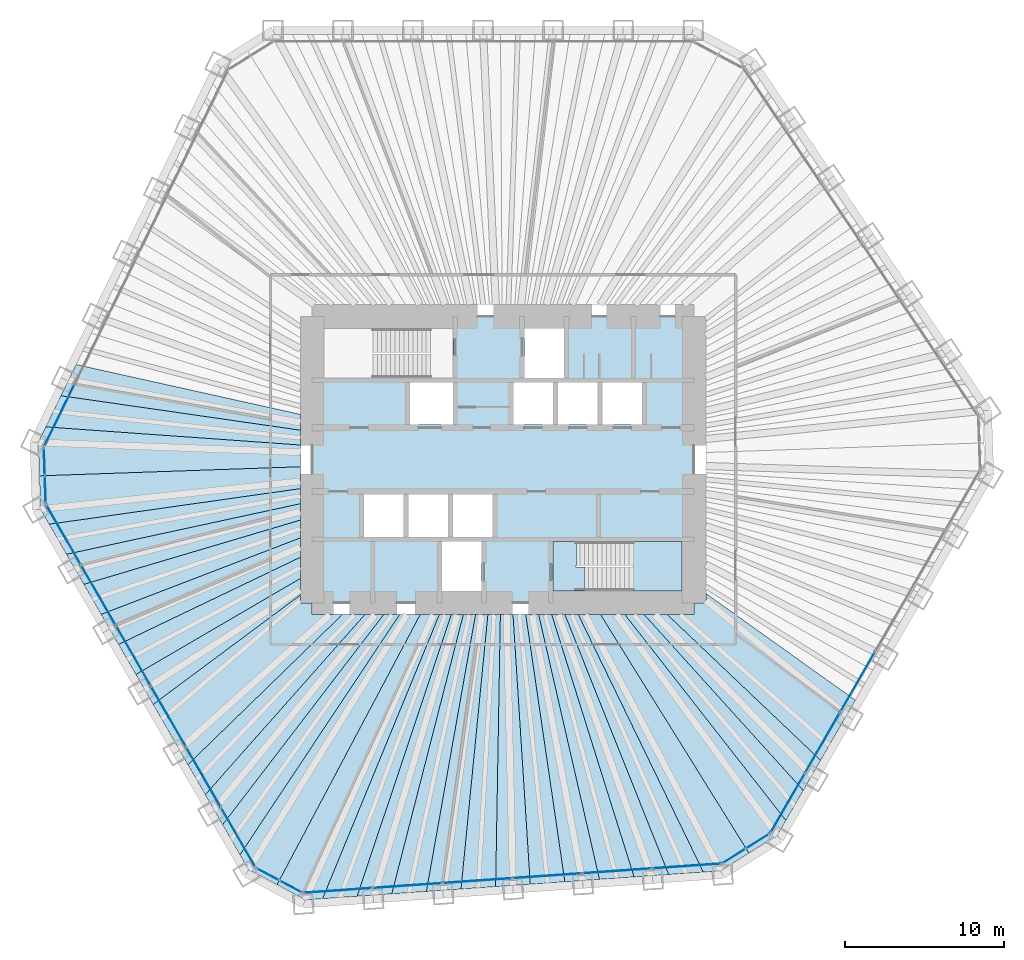
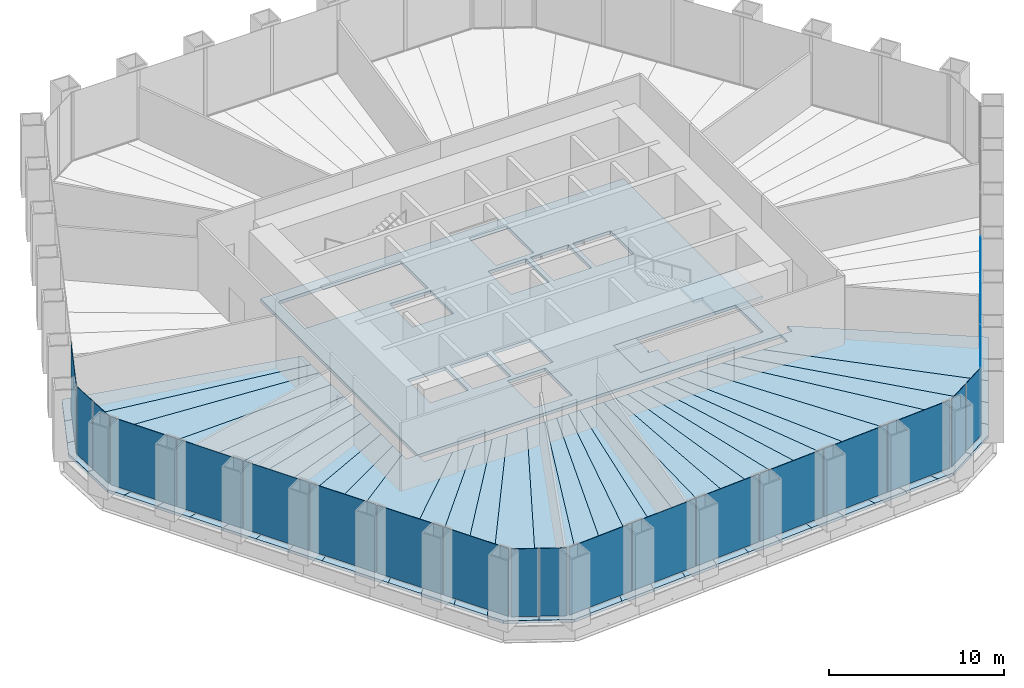
# One storey, part 8 of 13: 35 slabs, 22 plates, 8 elements without a shape of their own.
"""IFC4 building model written with IfcOpenShell, lengths in metres."""

import ifcopenshell
import ifcopenshell.guid

model = None  # the IFC model being written
_history = None  # IfcOwnerHistory: only IFC2X3 demands one
_inside = {}  # id of a spatial element -> (the spatial element, [elements in it])
_under = {}  # id of a project, library or spatial element -> (it, [spatial elements below it])
_declared = {}  # id of a project -> (the project, [libraries it declares])
_typed = {}  # id of a type object -> (the type object, [elements of that type])
_made_of = {}  # id of a material, layer set ... -> (it, [elements and type objects made of it])


def new_model(schema):
    """Start an empty IFC model of exactly this schema.

    Asked for "IFC4X3", IfcOpenShell would pick the latest addendum, in which some entities
    have other attributes; the version numbers below select the first issue.
    IFC2X3 requires an IfcOwnerHistory on every rooted entity: one is made here for all.
    """
    global model, _history
    if schema == "IFC4X3":
        model = ifcopenshell.file(schema_version=(4, 3, 0, 0))
    else:
        model = ifcopenshell.file(schema=schema)
    _inside.clear()
    _under.clear()
    _declared.clear()
    _typed.clear()
    _made_of.clear()
    _history = None
    if model.schema == "IFC2X3":
        org = make("IfcOrganization", Name="unknown")
        user = make(
            "IfcPersonAndOrganization",
            ThePerson=make("IfcPerson", FamilyName="unknown"),
            TheOrganization=org,
        )
        app = make(
            "IfcApplication",
            ApplicationDeveloper=org,
            Version="unknown",
            ApplicationFullName="unknown",
            ApplicationIdentifier="unknown",
        )
        _history = make(
            "IfcOwnerHistory",
            OwningUser=user,
            OwningApplication=app,
            ChangeAction="ADDED",
            CreationDate=0,
        )
    return model


def make(cls, **values):
    """One entity of the class cls with the attributes given. An attribute that is None is left unset."""
    return model.create_entity(
        cls, **{name: value for name, value in values.items() if value is not None}
    )


def rooted(cls, **values):
    """An entity with a GlobalId (a new one), such as an element, a storey or a relation."""
    return make(cls, GlobalId=ifcopenshell.guid.new(), OwnerHistory=_history, **values)


def si_unit(unit_type, name, prefix=None):
    """IfcSIUnit, for example si_unit("LENGTHUNIT", "METRE", prefix="MILLI")."""
    return make("IfcSIUnit", UnitType=unit_type, Prefix=prefix, Name=name)


def assignment(units):
    """IfcUnitAssignment: the units of a project."""
    return None if units is None else make("IfcUnitAssignment", Units=units)


def point(xyz):
    """IfcCartesianPoint."""
    return None if xyz is None else make("IfcCartesianPoint", Coordinates=xyz)


def direction(xyz):
    """IfcDirection."""
    return None if xyz is None else make("IfcDirection", DirectionRatios=xyz)


def frame(location, z_axis=None, x_axis=None):
    """IfcAxis2Placement3D, a coordinate frame: its origin and axes. An axis left out is left unset."""
    return make(
        "IfcAxis2Placement3D",
        Location=point(location),
        Axis=direction(z_axis),
        RefDirection=direction(x_axis),
    )


def frame_2d(location, x_axis=None):
    """IfcAxis2Placement2D, a coordinate frame in the plane: its origin and x axis."""
    return make(
        "IfcAxis2Placement2D", Location=point(location), RefDirection=direction(x_axis)
    )


def origin():
    """The frame at (0, 0, 0) with its axes left unset."""
    return frame((0.0, 0.0, 0.0))


def origin_2d():
    """The frame at (0, 0) in the plane with its x axis left unset."""
    return frame_2d((0.0, 0.0))


def place(relative_to, where):
    """IfcLocalPlacement: puts the frame where relative to a parent placement (None: the world)."""
    return make(
        "IfcLocalPlacement", PlacementRelTo=relative_to, RelativePlacement=where
    )


def context(
    kind, dimensions, precision=None, world=None, true_north=None, identifier=None
):
    """IfcGeometricRepresentationContext, for example the 3D "Model" context."""
    return make(
        "IfcGeometricRepresentationContext",
        ContextIdentifier=identifier,
        ContextType=kind,
        CoordinateSpaceDimension=dimensions,
        Precision=precision,
        WorldCoordinateSystem=world,
        TrueNorth=true_north,
    )


def subcontext(parent, identifier, kind, view, scale=None):
    """IfcGeometricRepresentationSubContext, for example "Body" below "Model"."""
    return make(
        "IfcGeometricRepresentationSubContext",
        ContextIdentifier=identifier,
        ContextType=kind,
        ParentContext=parent,
        TargetScale=scale,
        TargetView=view,
    )


def project(units=None, contexts=None):
    """IfcProject with its units and contexts."""
    return rooted(
        "IfcProject",
        Name="project",
        RepresentationContexts=contexts,
        UnitsInContext=assignment(units),
    )


def spatial(cls, under=None, at=None, **own):
    """A site, building, storey or space (cls), placed at a placement, below another one or the project."""
    s = rooted(cls, ObjectPlacement=at, **own)
    if under is not None:
        _under.setdefault(under.id(), (under, []))[1].append(s)
    return s


def polyline(points):
    """IfcPolyline through the points."""
    return make("IfcPolyline", Points=[point(p) for p in points])


def profile(cls, at=None, kind="AREA", **sizes):
    """A parametric profile (cls). Its sizes go by their IFC names, for example OverallWidth=200.0."""
    return make(cls, ProfileType=kind, Position=at, **sizes)


def rectangle(**sizes):
    """IfcRectangleProfileDef."""
    return profile("IfcRectangleProfileDef", **sizes)


def outline(outer, holes=None, kind="AREA"):
    """IfcArbitraryClosedProfileDef: a profile drawn as a closed curve; with holes, ...WithVoids."""
    if holes is None:
        return make("IfcArbitraryClosedProfileDef", ProfileType=kind, OuterCurve=outer)
    return make(
        "IfcArbitraryProfileDefWithVoids",
        ProfileType=kind,
        OuterCurve=outer,
        InnerCurves=holes,
    )


def extrude(swept, where, along, depth):
    """IfcExtrudedAreaSolid: the profile swept, set in the frame where, extruded along a direction by depth."""
    return make(
        "IfcExtrudedAreaSolid",
        SweptArea=swept,
        Position=where,
        ExtrudedDirection=direction(along),
        Depth=depth,
    )


def shape(context_of_items, identifier, shape_type, items):
    """IfcShapeRepresentation: the items that make up one representation, for example the "Body"."""
    return make(
        "IfcShapeRepresentation",
        ContextOfItems=context_of_items,
        RepresentationIdentifier=identifier,
        RepresentationType=shape_type,
        Items=items,
    )


def material(Name=None, Category=None):
    """IfcMaterial."""
    return make("IfcMaterial", Name=Name, Category=Category)


def layer(
    of_material, thickness, ventilated=None, Name=None, Category=None, Priority=None
):
    """IfcMaterialLayer: one layer of a wall or slab, of a material (None: an air gap)."""
    return make(
        "IfcMaterialLayer",
        Material=of_material,
        LayerThickness=thickness,
        IsVentilated=ventilated,
        Name=Name,
        Category=Category,
        Priority=Priority,
    )


def layer_set(layers, Name=None):
    """IfcMaterialLayerSet."""
    return make("IfcMaterialLayerSet", MaterialLayers=layers, LayerSetName=Name)


def made_of(thing, what):
    """Note that an element or type object is made of a material, layer set ...; save() writes the relation."""
    if what is not None:
        _made_of.setdefault(what.id(), (what, []))[1].append(thing)
    return thing


def type_object(cls, material=None, **own):
    """A type object (cls), such as IfcWallType, which elements share."""
    return made_of(rooted(cls, **own), material)


def element(
    cls,
    number,
    at=None,
    inside=None,
    cuts=None,
    type_object=None,
    material=None,
    context=None,
    identifier="Body",
    shape_type=None,
    held_by="IfcProductDefinitionShape",
    body=None,
    shapes=None,
    **own,
):
    """One element of the class cls, such as IfcWall. Its Tag is "e" and its number.

    at: its placement. inside: the storey or other place that contains it. cuts: it is an
    opening in that element (IfcRelVoidsElement). A single representation is given by context,
    identifier, shape_type and body (its items); several are given by shapes. held_by: the class
    of the entity that holds the representations. save() writes the other relations.
    """
    e = rooted(cls, Tag="e%d" % number, ObjectPlacement=at, **own)
    if body is not None:
        shapes = [shape(context, identifier, shape_type, body)]
    if shapes is not None:
        e.Representation = make(held_by, Representations=shapes)
    if inside is not None:
        _inside.setdefault(inside.id(), (inside, []))[1].append(e)
    if cuts is not None:
        rooted(
            "IfcRelVoidsElement", RelatingBuildingElement=cuts, RelatedOpeningElement=e
        )
    if type_object is not None:
        _typed.setdefault(type_object.id(), (type_object, []))[1].append(e)
    return made_of(e, material)


def aggregate(whole, parts):
    """IfcRelAggregates: a whole, such as a stair, and the parts it consists of."""
    return rooted("IfcRelAggregates", RelatingObject=whole, RelatedObjects=parts)


def save(model, path):
    """Write the relations noted so far, then the file.

    IfcRelAggregates (storeys below a building ...), IfcRelContainedInSpatialStructure (elements
    in a storey), IfcRelDefinesByType, IfcRelAssociatesMaterial and IfcRelDeclares: one each for
    every whole, place, type object, material and project.
    """
    for whole, parts in _under.values():
        aggregate(whole, parts)
    for where, things in _inside.values():
        rooted(
            "IfcRelContainedInSpatialStructure",
            RelatedElements=things,
            RelatingStructure=where,
        )
    for kind, things in _typed.values():
        rooted("IfcRelDefinesByType", RelatedObjects=things, RelatingType=kind)
    for what, things in _made_of.values():
        rooted("IfcRelAssociatesMaterial", RelatedObjects=things, RelatingMaterial=what)
    for by, libraries in _declared.values():
        rooted("IfcRelDeclares", RelatingContext=by, RelatedDefinitions=libraries)
    model.write(path)


model = new_model("IFC4")

# Units and contexts
model_context = context("Model", 3, precision=1e-05, world=origin(), true_north=direction((0.0, 1.0)))
body_context = subcontext(model_context, "Body", "Model", "MODEL_VIEW")
ifc_project = project(units=[si_unit("LENGTHUNIT", "METRE"), si_unit("AREAUNIT", "SQUARE_METRE"), si_unit("VOLUMEUNIT", "CUBIC_METRE"), si_unit("PLANEANGLEUNIT", "RADIAN"), si_unit("MASSUNIT", "GRAM", prefix="KILO")], contexts=[model_context])

# Site, building, storey
site_placement = place(None, origin())
site = spatial("IfcSite", under=ifc_project, at=site_placement, CompositionType="ELEMENT")
building_placement = place(site_placement, origin())
building = spatial("IfcBuilding", under=site, at=building_placement, Name="Qingtian Harvest Tower", CompositionType="ELEMENT")
storey_placement = place(building_placement, frame((0.0, 0.0, 37.0)))
storey = spatial("IfcBuildingStorey", under=building, at=storey_placement, Name="L07", CompositionType="ELEMENT", Elevation=37.0)

# Slabs
ifc_material_1 = material(Name="Concrete fc' 35 MPa", Category="concrete")
ifc_layer_1 = layer(ifc_material_1, 0.199951171875)
ifc_layer_set_1 = layer_set([ifc_layer_1], Name="Composite floor slab FS20 200")
slab_type_1 = type_object("IfcSlabType", Name="Composite floor slab FS20 200", PredefinedType="FLOOR", material=ifc_layer_set_1)
slab_1_placement = place(storey_placement, frame((0.0, 0.0, -0.199951171875)))
element("IfcSlab", 1, at=slab_1_placement, inside=storey, type_object=slab_type_1, Name="Floor slab L07 panel D01", PredefinedType="FLOOR", context=body_context, shape_type="SweptSolid", body=[
    extrude(outline(polyline([(-29.157470703125, -1.018310546875), (-12.75, -0.447509765625), (-12.75, -1.822998046875), (-28.548583984375, -4.062255859375), (-29.08349609375, -3.135986328125), (-29.157470703125, -1.018310546875)])), origin(), (0.0, 0.0, 1.0), 0.199951171875),
])
slab_2_placement = place(storey_placement, frame((0.0, 0.0, -0.199951171875)))
element("IfcSlab", 2, at=slab_2_placement, inside=storey, type_object=slab_type_1, Name="Floor slab L07 panel D02", PredefinedType="FLOOR", context=body_context, shape_type="SweptSolid", body=[
    extrude(outline(polyline([(-12.75, -2.773681640625), (-27.45751953125, -5.9521484375), (-28.548583984375, -4.062255859375), (-12.75, -1.822998046875), (-12.75, -2.773681640625)])), origin(), (0.0, 0.0, 1.0), 0.199951171875),
])
slab_3_placement = place(storey_placement, frame((0.0, 0.0, -0.199951171875)))
element("IfcSlab", 3, at=slab_3_placement, inside=storey, type_object=slab_type_1, Name="Floor slab L07 panel D03", PredefinedType="FLOOR", context=body_context, shape_type="SweptSolid", body=[
    extrude(outline(polyline([(-12.75, -3.80322265625), (-26.366455078125, -7.842041015625), (-27.45751953125, -5.9521484375), (-12.75, -2.773681640625), (-12.75, -3.80322265625)])), origin(), (0.0, 0.0, 1.0), 0.199951171875),
])
slab_4_placement = place(storey_placement, frame((0.0, 0.0, -0.199951171875)))
element("IfcSlab", 4, at=slab_4_placement, inside=storey, type_object=slab_type_1, Name="Floor slab L07 panel D04", PredefinedType="FLOOR", context=body_context, shape_type="SweptSolid", body=[
    extrude(outline(polyline([(-12.75, -4.921875), (-25.275146484375, -9.732177734375), (-26.366455078125, -7.842041015625), (-12.75, -3.80322265625), (-12.75, -4.921875)])), origin(), (0.0, 0.0, 1.0), 0.199951171875),
])
slab_5_placement = place(storey_placement, frame((0.0, 0.0, -0.199951171875)))
element("IfcSlab", 5, at=slab_5_placement, inside=storey, type_object=slab_type_1, Name="Floor slab L07 panel D05", PredefinedType="FLOOR", context=body_context, shape_type="SweptSolid", body=[
    extrude(outline(polyline([(-12.75, -6.141357421875), (-24.18408203125, -11.6220703125), (-25.275146484375, -9.732177734375), (-12.75, -4.921875), (-12.75, -6.141357421875)])), origin(), (0.0, 0.0, 1.0), 0.199951171875),
])
slab_6_placement = place(storey_placement, frame((0.0, 0.0, -0.199951171875)))
element("IfcSlab", 6, at=slab_6_placement, inside=storey, type_object=slab_type_1, Name="Floor slab L07 panel D06", PredefinedType="FLOOR", context=body_context, shape_type="SweptSolid", body=[
    extrude(outline(polyline([(-12.75, -7.4765625), (-23.0927734375, -13.511962890625), (-24.18408203125, -11.6220703125), (-12.75, -6.141357421875), (-12.75, -7.4765625)])), origin(), (0.0, 0.0, 1.0), 0.199951171875),
])
slab_7_placement = place(storey_placement, frame((0.0, 0.0, -0.199951171875)))
element("IfcSlab", 7, at=slab_7_placement, inside=storey, type_object=slab_type_1, Name="Floor slab L07 panel D07", PredefinedType="FLOOR", context=body_context, shape_type="SweptSolid", body=[
    extrude(outline(polyline([(-12.75, -8.512451171875), (-22.00537109375, -15.3955078125), (-23.0927734375, -13.511962890625), (-12.75, -7.4765625), (-12.75, -8.512451171875)])), origin(), (0.0, 0.0, 1.0), 0.199951171875),
])
slab_8_placement = place(storey_placement, frame((0.0, 0.0, -0.199951171875)))
element("IfcSlab", 8, at=slab_8_placement, inside=storey, type_object=slab_type_1, Name="Floor slab L07 panel D09", PredefinedType="FLOOR", context=body_context, shape_type="SweptSolid", body=[
    extrude(outline(polyline([(-19.81982421875, -19.18115234375), (-22.00537109375, -15.3955078125), (-12.75, -8.512451171875), (-12.75, -9.0), (-12.0, -9.0), (-12.0, -9.75), (-10.1123046875, -9.75), (-19.81982421875, -19.18115234375)])), origin(), (0.0, 0.0, 1.0), 0.199951171875),
])
slab_9_placement = place(storey_placement, frame((0.0, 0.0, -0.199951171875)))
element("IfcSlab", 9, at=slab_9_placement, inside=storey, type_object=slab_type_1, Name="Floor slab L07 panel D10", PredefinedType="FLOOR", context=body_context, shape_type="SweptSolid", body=[
    extrude(outline(polyline([(-8.694580078125, -9.75), (-18.728515625, -21.0712890625), (-19.81982421875, -19.18115234375), (-10.1123046875, -9.75), (-8.694580078125, -9.75)])), origin(), (0.0, 0.0, 1.0), 0.199951171875),
])
slab_10_placement = place(storey_placement, frame((0.0, 0.0, -0.199951171875)))
element("IfcSlab", 10, at=slab_10_placement, inside=storey, type_object=slab_type_1, Name="Floor slab L07 panel D11", PredefinedType="FLOOR", context=body_context, shape_type="SweptSolid", body=[
    extrude(outline(polyline([(-7.511474609375, -9.75), (-17.63720703125, -22.961181640625), (-18.728515625, -21.0712890625), (-8.694580078125, -9.75), (-7.511474609375, -9.75)])), origin(), (0.0, 0.0, 1.0), 0.199951171875),
])
slab_11_placement = place(storey_placement, frame((0.0, 0.0, -0.199951171875)))
element("IfcSlab", 11, at=slab_11_placement, inside=storey, type_object=slab_type_1, Name="Floor slab L07 panel D12", PredefinedType="FLOOR", context=body_context, shape_type="SweptSolid", body=[
    extrude(outline(polyline([(-6.509033203125, -9.75), (-16.546142578125, -24.851318359375), (-17.63720703125, -22.961181640625), (-7.511474609375, -9.75), (-6.509033203125, -9.75)])), origin(), (0.0, 0.0, 1.0), 0.199951171875),
])
slab_12_placement = place(storey_placement, frame((0.0, 0.0, -0.199951171875)))
element("IfcSlab", 12, at=slab_12_placement, inside=storey, type_object=slab_type_1, Name="Floor slab L07 panel D13", PredefinedType="FLOOR", context=body_context, shape_type="SweptSolid", body=[
    extrude(outline(polyline([(-6.509033203125, -9.75), (-5.213623046875, -9.75), (-14.214599609375, -26.73291015625), (-16.01123046875, -25.777587890625), (-16.546142578125, -24.851318359375), (-6.509033203125, -9.75)])), origin(), (0.0, 0.0, 1.0), 0.199951171875),
])
slab_13_placement = place(storey_placement, frame((0.0, 0.0, -0.199951171875)))
element("IfcSlab", 13, at=slab_13_placement, inside=storey, type_object=slab_type_1, Name="Floor slab L07 panel D14", PredefinedType="FLOOR", context=body_context, shape_type="SweptSolid", body=[
    extrude(outline(polyline([(-5.213623046875, -9.75), (-4.006591796875, -9.75), (-11.350341796875, -27.614013671875), (-12.417236328125, -27.688720703125), (-14.214599609375, -26.73291015625), (-5.213623046875, -9.75)])), origin(), (0.0, 0.0, 1.0), 0.199951171875),
])
slab_14_placement = place(storey_placement, frame((0.0, 0.0, -0.199951171875)))
element("IfcSlab", 14, at=slab_14_placement, inside=storey, type_object=slab_type_1, Name="Floor slab L07 panel D15", PredefinedType="FLOOR", context=body_context, shape_type="SweptSolid", body=[
    extrude(outline(polyline([(-3.255859375, -9.75), (-9.17333984375, -27.4619140625), (-11.350341796875, -27.614013671875), (-4.006591796875, -9.75), (-3.255859375, -9.75)])), origin(), (0.0, 0.0, 1.0), 0.199951171875),
])
slab_15_placement = place(storey_placement, frame((0.0, 0.0, -0.199951171875)))
element("IfcSlab", 15, at=slab_15_placement, inside=storey, type_object=slab_type_1, Name="Floor slab L07 panel D16", PredefinedType="FLOOR", context=body_context, shape_type="SweptSolid", body=[
    extrude(outline(polyline([(-2.496826171875, -9.75), (-6.996337890625, -27.3095703125), (-9.17333984375, -27.4619140625), (-3.255859375, -9.75), (-2.496826171875, -9.75)])), origin(), (0.0, 0.0, 1.0), 0.199951171875),
])
slab_16_placement = place(storey_placement, frame((0.0, 0.0, -0.199951171875)))
element("IfcSlab", 16, at=slab_16_placement, inside=storey, type_object=slab_type_1, Name="Floor slab L07 panel D17", PredefinedType="FLOOR", context=body_context, shape_type="SweptSolid", body=[
    extrude(outline(polyline([(-1.729248046875, -9.75), (-4.8193359375, -27.1572265625), (-6.996337890625, -27.3095703125), (-2.496826171875, -9.75), (-1.729248046875, -9.75)])), origin(), (0.0, 0.0, 1.0), 0.199951171875),
])
slab_17_placement = place(storey_placement, frame((0.0, 0.0, -0.199951171875)))
element("IfcSlab", 17, at=slab_17_placement, inside=storey, type_object=slab_type_1, Name="Floor slab L07 panel D18", PredefinedType="FLOOR", context=body_context, shape_type="SweptSolid", body=[
    extrude(outline(polyline([(-0.952880859375, -9.75), (-2.642333984375, -27.005126953125), (-4.8193359375, -27.1572265625), (-1.729248046875, -9.75), (-0.952880859375, -9.75)])), origin(), (0.0, 0.0, 1.0), 0.199951171875),
])
slab_18_placement = place(storey_placement, frame((0.0, 0.0, -0.199951171875)))
element("IfcSlab", 18, at=slab_18_placement, inside=storey, type_object=slab_type_1, Name="Floor slab L07 panel D19", PredefinedType="FLOOR", context=body_context, shape_type="SweptSolid", body=[
    extrude(outline(polyline([(-0.16796875, -9.75), (-0.46533203125, -26.852783203125), (-2.642333984375, -27.005126953125), (-0.952880859375, -9.75), (-0.16796875, -9.75)])), origin(), (0.0, 0.0, 1.0), 0.199951171875),
])
slab_19_placement = place(storey_placement, frame((0.0, 0.0, -0.199951171875)))
element("IfcSlab", 19, at=slab_19_placement, inside=storey, type_object=slab_type_1, Name="Floor slab L07 panel D20", PredefinedType="FLOOR", context=body_context, shape_type="SweptSolid", body=[
    extrude(outline(polyline([(0.626220703125, -9.75), (1.711669921875, -26.70068359375), (-0.46533203125, -26.852783203125), (-0.16796875, -9.75), (0.626220703125, -9.75)])), origin(), (0.0, 0.0, 1.0), 0.199951171875),
])
slab_20_placement = place(storey_placement, frame((0.0, 0.0, -0.199951171875)))
element("IfcSlab", 20, at=slab_20_placement, inside=storey, type_object=slab_type_1, Name="Floor slab L07 panel D21", PredefinedType="FLOOR", context=body_context, shape_type="SweptSolid", body=[
    extrude(outline(polyline([(1.42919921875, -9.75), (3.888671875, -26.54833984375), (1.711669921875, -26.70068359375), (0.626220703125, -9.75), (1.42919921875, -9.75)])), origin(), (0.0, 0.0, 1.0), 0.199951171875),
])
slab_21_placement = place(storey_placement, frame((0.0, 0.0, -0.199951171875)))
element("IfcSlab", 21, at=slab_21_placement, inside=storey, type_object=slab_type_1, Name="Floor slab L07 panel D22", PredefinedType="FLOOR", context=body_context, shape_type="SweptSolid", body=[
    extrude(outline(polyline([(2.24169921875, -9.75), (6.065673828125, -26.396240234375), (3.888671875, -26.54833984375), (1.42919921875, -9.75), (2.24169921875, -9.75)])), origin(), (0.0, 0.0, 1.0), 0.199951171875),
])
slab_22_placement = place(storey_placement, frame((0.0, 0.0, -0.199951171875)))
element("IfcSlab", 22, at=slab_22_placement, inside=storey, type_object=slab_type_1, Name="Floor slab L07 panel D23", PredefinedType="FLOOR", context=body_context, shape_type="SweptSolid", body=[
    extrude(outline(polyline([(3.0634765625, -9.75), (8.24267578125, -26.243896484375), (6.065673828125, -26.396240234375), (2.24169921875, -9.75), (3.0634765625, -9.75)])), origin(), (0.0, 0.0, 1.0), 0.199951171875),
])
slab_23_placement = place(storey_placement, frame((0.0, 0.0, -0.199951171875)))
element("IfcSlab", 23, at=slab_23_placement, inside=storey, type_object=slab_type_1, Name="Floor slab L07 panel D24", PredefinedType="FLOOR", context=body_context, shape_type="SweptSolid", body=[
    extrude(outline(polyline([(3.894775390625, -9.75), (10.419677734375, -26.091796875), (8.24267578125, -26.243896484375), (3.0634765625, -9.75), (3.894775390625, -9.75)])), origin(), (0.0, 0.0, 1.0), 0.199951171875),
])
slab_24_placement = place(storey_placement, frame((0.0, 0.0, -0.199951171875)))
element("IfcSlab", 24, at=slab_24_placement, inside=storey, type_object=slab_type_1, Name="Floor slab L07 panel D25", PredefinedType="FLOOR", context=body_context, shape_type="SweptSolid", body=[
    extrude(outline(polyline([(4.736083984375, -9.75), (12.5966796875, -25.939453125), (10.419677734375, -26.091796875), (3.894775390625, -9.75), (4.736083984375, -9.75)])), origin(), (0.0, 0.0, 1.0), 0.199951171875),
])
slab_25_placement = place(storey_placement, frame((0.0, 0.0, -0.199951171875)))
element("IfcSlab", 25, at=slab_25_placement, inside=storey, type_object=slab_type_1, Name="Floor slab L07 panel D26", PredefinedType="FLOOR", context=body_context, shape_type="SweptSolid", body=[
    extrude(outline(polyline([(4.736083984375, -9.75), (6.136474609375, -9.75), (15.4609375, -24.74169921875), (13.663330078125, -25.864990234375), (12.5966796875, -25.939453125), (4.736083984375, -9.75)])), origin(), (0.0, 0.0, 1.0), 0.199951171875),
])
slab_26_placement = place(storey_placement, frame((0.0, 0.0, -0.199951171875)))
element("IfcSlab", 26, at=slab_26_placement, inside=storey, type_object=slab_type_1, Name="Floor slab L07 panel D27", PredefinedType="FLOOR", context=body_context, shape_type="SweptSolid", body=[
    extrude(outline(polyline([(6.136474609375, -9.75), (7.66748046875, -9.75), (17.79248046875, -22.692626953125), (17.257568359375, -23.618896484375), (15.4609375, -24.74169921875), (6.136474609375, -9.75)])), origin(), (0.0, 0.0, 1.0), 0.199951171875),
])
slab_27_placement = place(storey_placement, frame((0.0, 0.0, -0.199951171875)))
element("IfcSlab", 27, at=slab_27_placement, inside=storey, type_object=slab_type_1, Name="Floor slab L07 panel D28", PredefinedType="FLOOR", context=body_context, shape_type="SweptSolid", body=[
    extrude(outline(polyline([(8.88037109375, -9.75), (18.883544921875, -20.802734375), (17.79248046875, -22.692626953125), (7.66748046875, -9.75), (8.88037109375, -9.75)])), origin(), (0.0, 0.0, 1.0), 0.199951171875),
])
slab_28_placement = place(storey_placement, frame((0.0, 0.0, -0.199951171875)))
element("IfcSlab", 28, at=slab_28_placement, inside=storey, type_object=slab_type_1, Name="Floor slab L07 panel D29", PredefinedType="FLOOR", context=body_context, shape_type="SweptSolid", body=[
    extrude(outline(polyline([(10.337158203125, -9.75), (19.974853515625, -18.91259765625), (18.883544921875, -20.802734375), (8.88037109375, -9.75), (10.337158203125, -9.75)])), origin(), (0.0, 0.0, 1.0), 0.199951171875),
])
slab_29_placement = place(storey_placement, frame((0.0, 0.0, -0.199951171875)))
element("IfcSlab", 29, at=slab_29_placement, inside=storey, type_object=slab_type_1, Name="Floor slab L07 panel D31", PredefinedType="FLOOR", context=body_context, shape_type="SweptSolid", body=[
    extrude(outline(polyline([(12.75, -8.4091796875), (22.159423828125, -15.128662109375), (19.974853515625, -18.91259765625), (10.337158203125, -9.75), (12.0, -9.75), (12.0, -9.0), (12.75, -9.0), (12.75, -8.4091796875)])), origin(), (0.0, 0.0, 1.0), 0.199951171875),
])
slab_30_placement = place(storey_placement, frame((0.0, 0.0, -0.199951171875)))
element("IfcSlab", 30, at=slab_30_placement, inside=storey, type_object=slab_type_1, Name="Floor slab L07 panel D76", PredefinedType="FLOOR", context=body_context, shape_type="SweptSolid", body=[
    extrude(outline(polyline([(-12.75, 1.8525390625), (-27.805908203125, 4.022216796875), (-26.84912109375, 5.98388671875), (-12.75, 2.8505859375), (-12.75, 1.8525390625)])), origin(), (0.0, 0.0, 1.0), 0.199951171875),
])
slab_31_placement = place(storey_placement, frame((0.0, 0.0, -0.199951171875)))
element("IfcSlab", 31, at=slab_31_placement, inside=storey, type_object=slab_type_1, Name="Floor slab L07 panel D77", PredefinedType="FLOOR", context=body_context, shape_type="SweptSolid", body=[
    extrude(outline(polyline([(-12.75, 0.9208984375), (-28.762451171875, 2.060791015625), (-27.805908203125, 4.022216796875), (-12.75, 1.8525390625), (-12.75, 0.9208984375)])), origin(), (0.0, 0.0, 1.0), 0.199951171875),
])
slab_32_placement = place(storey_placement, frame((0.0, 0.0, -0.199951171875)))
element("IfcSlab", 32, at=slab_32_placement, inside=storey, type_object=slab_type_1, Name="Floor slab L07 panel D78", PredefinedType="FLOOR", context=body_context, shape_type="SweptSolid", body=[
    extrude(outline(polyline([(-12.75, 0.9208984375), (-12.75, -0.447509765625), (-29.157470703125, -1.018310546875), (-29.2314453125, 1.099609375), (-28.762451171875, 2.060791015625), (-12.75, 0.9208984375)])), origin(), (0.0, 0.0, 1.0), 0.199951171875),
])
ifc_material_2 = material(Name="Concrete fc' 35 MPa", Category="concrete")
ifc_layer_2 = layer(ifc_material_2, 0.219970703125)
ifc_layer_set_2 = layer_set([ifc_layer_2], Name="Core floor slab CS22 220")
slab_type_2 = type_object("IfcSlabType", Name="Core floor slab CS22 220", PredefinedType="FLOOR", material=ifc_layer_set_2)
slab_33_placement = place(storey_placement, frame((0.0, 0.0, -0.219970703125)))
element("IfcSlab", 33, at=slab_33_placement, inside=storey, type_object=slab_type_2, Name="Core floor slab L07", PredefinedType="FLOOR", context=body_context, shape_type="SweptSolid", body=[
    extrude(outline(polyline([(-12.0, -9.0), (12.0, -9.0), (12.0, 9.0), (-12.0, 9.0), (-12.0, -9.0)]), holes=[polyline([(-11.25, 5.14990234375), (-3.14990234375, 5.14990234375), (-3.14990234375, 8.25), (-11.25, 8.25), (-11.25, 5.14990234375)]), polyline([(3.14990234375, -8.25), (11.25, -8.25), (11.25, -5.14990234375), (3.14990234375, -5.14990234375), (3.14990234375, -8.25)]), polyline([(1.35009765625, 5.14990234375), (3.85009765625, 5.14990234375), (3.85009765625, 8.25), (1.35009765625, 8.25), (1.35009765625, 5.14990234375)]), polyline([(-3.85009765625, -8.25), (-1.35009765625, -8.25), (-1.35009765625, -5.14990234375), (-3.85009765625, -5.14990234375), (-3.85009765625, -8.25)]), polyline([(-5.85009765625, 2.199951171875), (-3.14990234375, 2.199951171875), (-3.14990234375, 4.85009765625), (-5.85009765625, 4.85009765625), (-5.85009765625, 2.199951171875)]), polyline([(0.64990234375, 2.199951171875), (3.14990234375, 2.199951171875), (3.14990234375, 4.85009765625), (0.64990234375, 4.85009765625), (0.64990234375, 2.199951171875)]), polyline([(3.449951171875, 2.199951171875), (5.949951171875, 2.199951171875), (5.949951171875, 4.85009765625), (3.449951171875, 4.85009765625), (3.449951171875, 2.199951171875)]), polyline([(6.25, 2.199951171875), (8.75, 2.199951171875), (8.75, 4.85009765625), (6.25, 4.85009765625), (6.25, 2.199951171875)]), polyline([(-8.75, -4.85009765625), (-6.25, -4.85009765625), (-6.25, -2.199951171875), (-8.75, -2.199951171875), (-8.75, -4.85009765625)]), polyline([(-5.949951171875, -4.85009765625), (-3.449951171875, -4.85009765625), (-3.449951171875, -2.199951171875), (-5.949951171875, -2.199951171875), (-5.949951171875, -4.85009765625)]), polyline([(-3.14990234375, -4.85009765625), (-0.64990234375, -4.85009765625), (-0.64990234375, -2.199951171875), (-3.14990234375, -2.199951171875), (-3.14990234375, -4.85009765625)])]), origin(), (0.0, 0.0, 1.0), 0.219970703125),
])

# Curtain wall, plates
ifc_material_3 = material(Name="Bronze-anodised aluminium curtain wall", Category="aluminium")
curtain_wall_type = type_object("IfcCurtainWallType", Name="Curtain wall CW2 farm reception", PredefinedType="USERDEFINED", material=ifc_material_3)
curtain_wall_1_placement = place(storey_placement, origin())
curtain_wall_1 = element("IfcCurtainWall", 34, at=curtain_wall_1_placement, inside=storey, type_object=curtain_wall_type, Name="Curtain wall CW2 L07 SE0-5", ObjectType="RECESSED CURTAIN WALL", PredefinedType="USERDEFINED")
ifc_material_4 = material(Name="Bronze-tinted laminated insulating glass", Category="glass")
ifc_layer_3 = layer(ifc_material_4, 0.030029296875)
ifc_layer_set_3 = layer_set([ifc_layer_3], Name="Glazed panel CWP tinted IGU")
plate_type = type_object("IfcPlateType", Name="Glazed panel CWP tinted IGU", PredefinedType="CURTAIN_PANEL", material=ifc_layer_set_3)
plate_1_placement = place(storey_placement, frame((22.30419921875, -13.968017578125, 0.06494140625), z_axis=(0.0, 0.0, 1.0), x_axis=(-0.5, -0.866025403784, 0.0)))
plate_1 = element("IfcPlate", 35, at=plate_1_placement, type_object=plate_type, Name="CW2 panel 4.1", PredefinedType="CURTAIN_PANEL", context=body_context, shape_type="SweptSolid", body=[
    extrude(rectangle(XDim=4.339599609375, YDim=0.030029296875, at=origin_2d()), origin(), (0.0, 0.0, 1.0), 4.735107421875),
])
plate_2_placement = place(storey_placement, frame((20.101806640625, -17.782470703125, 0.06494140625), z_axis=(0.0, 0.0, 1.0), x_axis=(-0.5, -0.866025403784, 0.0)))
plate_2 = element("IfcPlate", 36, at=plate_2_placement, type_object=plate_type, Name="CW2 panel 5.1", PredefinedType="CURTAIN_PANEL", context=body_context, shape_type="SweptSolid", body=[
    extrude(rectangle(XDim=4.339599609375, YDim=0.030029296875, at=origin_2d()), origin(), (0.0, 0.0, 1.0), 4.735107421875),
])
plate_3_placement = place(storey_placement, frame((17.90771484375, -21.5830078125, 0.06494140625), z_axis=(0.0, 0.0, 1.0), x_axis=(-0.5, -0.866025403784, 0.0)))
plate_3 = element("IfcPlate", 37, at=plate_3_placement, type_object=plate_type, Name="CW2 panel 6.1", PredefinedType="CURTAIN_PANEL", context=body_context, shape_type="SweptSolid", body=[
    extrude(rectangle(XDim=4.30712890625, YDim=0.030029296875, at=origin_2d()), origin(), (0.0, 0.0, 1.0), 4.735107421875),
])
aggregate(curtain_wall_1, [plate_1, plate_2, plate_3])

curtain_wall_2_placement = place(storey_placement, origin())
curtain_wall_2 = element("IfcCurtainWall", 38, at=curtain_wall_2_placement, inside=storey, type_object=curtain_wall_type, Name="Curtain wall CW2 L07 SEC", ObjectType="RECESSED CURTAIN WALL", PredefinedType="USERDEFINED")
plate_4_placement = place(storey_placement, frame((16.025390625, -23.9873046875, 0.06494140625), z_axis=(0.0, 0.0, 1.0), x_axis=(-0.848048096156, -0.529919264233, 0.0)))
plate_4 = element("IfcPlate", 39, at=plate_4_placement, type_object=plate_type, Name="CW2 panel 1.1", PredefinedType="CURTAIN_PANEL", context=body_context, shape_type="SweptSolid", body=[
    extrude(rectangle(XDim=1.69287109375, YDim=0.030029296875, at=origin_2d()), origin(), (0.0, 0.0, 1.0), 4.735107421875),
])
plate_5_placement = place(storey_placement, frame((14.53466796875, -24.9189453125, 0.06494140625), z_axis=(0.0, 0.0, 1.0), x_axis=(-0.848048096156, -0.529919264233, 0.0)))
plate_5 = element("IfcPlate", 40, at=plate_5_placement, type_object=plate_type, Name="CW2 panel 2.1", PredefinedType="CURTAIN_PANEL", context=body_context, shape_type="SweptSolid", body=[
    extrude(rectangle(XDim=1.69287109375, YDim=0.030029296875, at=origin_2d()), origin(), (0.0, 0.0, 1.0), 4.735107421875),
])
aggregate(curtain_wall_2, [plate_4, plate_5])

curtain_wall_3_placement = place(storey_placement, origin())
curtain_wall_3 = element("IfcCurtainWall", 41, at=curtain_wall_3_placement, inside=storey, type_object=curtain_wall_type, Name="Curtain wall CW2 L07 S0-5", ObjectType="RECESSED CURTAIN WALL", PredefinedType="USERDEFINED")
plate_6_placement = place(storey_placement, frame((11.548583984375, -25.556640625, 0.06494140625), z_axis=(0.0, 0.0, 1.0), x_axis=(-0.99756405026, -0.069756473744, 0.0)))
plate_6 = element("IfcPlate", 42, at=plate_6_placement, type_object=plate_type, Name="CW2 panel 1.1", PredefinedType="CURTAIN_PANEL", context=body_context, shape_type="SweptSolid", body=[
    extrude(rectangle(XDim=4.30712890625, YDim=0.030029296875, at=origin_2d()), origin(), (0.0, 0.0, 1.0), 4.735107421875),
])
plate_7_placement = place(storey_placement, frame((7.1708984375, -25.86279296875, 0.06494140625), z_axis=(0.0, 0.0, 1.0), x_axis=(-0.99756405026, -0.069756473744, 0.0)))
plate_7 = element("IfcPlate", 43, at=plate_7_placement, type_object=plate_type, Name="CW2 panel 2.1", PredefinedType="CURTAIN_PANEL", context=body_context, shape_type="SweptSolid", body=[
    extrude(rectangle(XDim=4.339599609375, YDim=0.030029296875, at=origin_2d()), origin(), (0.0, 0.0, 1.0), 4.735107421875),
])
plate_8_placement = place(storey_placement, frame((2.77685546875, -26.169921875, 0.06494140625), z_axis=(0.0, 0.0, 1.0), x_axis=(-0.99756405026, -0.069756473744, 0.0)))
plate_8 = element("IfcPlate", 44, at=plate_8_placement, type_object=plate_type, Name="CW2 panel 3.1", PredefinedType="CURTAIN_PANEL", context=body_context, shape_type="SweptSolid", body=[
    extrude(rectangle(XDim=4.339599609375, YDim=0.030029296875, at=origin_2d()), origin(), (0.0, 0.0, 1.0), 4.735107421875),
])
plate_9_placement = place(storey_placement, frame((-1.616943359375, -26.477294921875, 0.06494140625), z_axis=(0.0, 0.0, 1.0), x_axis=(-0.99756405026, -0.069756473744, 0.0)))
plate_9 = element("IfcPlate", 45, at=plate_9_placement, type_object=plate_type, Name="CW2 panel 4.1", PredefinedType="CURTAIN_PANEL", context=body_context, shape_type="SweptSolid", body=[
    extrude(rectangle(XDim=4.339599609375, YDim=0.030029296875, at=origin_2d()), origin(), (0.0, 0.0, 1.0), 4.735107421875),
])
plate_10_placement = place(storey_placement, frame((-6.0107421875, -26.784423828125, 0.06494140625), z_axis=(0.0, 0.0, 1.0), x_axis=(-0.99756405026, -0.069756473744, 0.0)))
plate_10 = element("IfcPlate", 46, at=plate_10_placement, type_object=plate_type, Name="CW2 panel 5.1", PredefinedType="CURTAIN_PANEL", context=body_context, shape_type="SweptSolid", body=[
    extrude(rectangle(XDim=4.339599609375, YDim=0.030029296875, at=origin_2d()), origin(), (0.0, 0.0, 1.0), 4.735107421875),
])
plate_11_placement = place(storey_placement, frame((-10.388427734375, -27.090576171875, 0.06494140625), z_axis=(0.0, 0.0, 1.0), x_axis=(-0.99756405026, -0.069756473744, 0.0)))
plate_11 = element("IfcPlate", 47, at=plate_11_placement, type_object=plate_type, Name="CW2 panel 6.1", PredefinedType="CURTAIN_PANEL", context=body_context, shape_type="SweptSolid", body=[
    extrude(rectangle(XDim=4.30712890625, YDim=0.030029296875, at=origin_2d()), origin(), (0.0, 0.0, 1.0), 4.735107421875),
])
aggregate(curtain_wall_3, [plate_6, plate_7, plate_8, plate_9, plate_10, plate_11])

curtain_wall_4_placement = place(storey_placement, origin())
curtain_wall_4 = element("IfcCurtainWall", 48, at=curtain_wall_4_placement, inside=storey, type_object=curtain_wall_type, Name="Curtain wall CW2 L07 SC", ObjectType="RECESSED CURTAIN WALL", PredefinedType="USERDEFINED")
plate_12_placement = place(storey_placement, frame((-13.350830078125, -26.84716796875, 0.06494140625), z_axis=(0.0, 0.0, 1.0), x_axis=(-0.882947592859, 0.469471562786, 0.0)))
plate_12 = element("IfcPlate", 49, at=plate_12_placement, type_object=plate_type, Name="CW2 panel 1.1", PredefinedType="CURTAIN_PANEL", context=body_context, shape_type="SweptSolid", body=[
    extrude(rectangle(XDim=1.56689453125, YDim=0.030029296875, at=origin_2d()), origin(), (0.0, 0.0, 1.0), 4.735107421875),
])
plate_13_placement = place(storey_placement, frame((-14.79150390625, -26.0810546875, 0.06494140625), z_axis=(0.0, 0.0, 1.0), x_axis=(-0.882947592859, 0.469471562786, 0.0)))
plate_13 = element("IfcPlate", 50, at=plate_13_placement, type_object=plate_type, Name="CW2 panel 2.1", PredefinedType="CURTAIN_PANEL", context=body_context, shape_type="SweptSolid", body=[
    extrude(rectangle(XDim=1.56689453125, YDim=0.030029296875, at=origin_2d()), origin(), (0.0, 0.0, 1.0), 4.735107421875),
])
aggregate(curtain_wall_4, [plate_12, plate_13])

curtain_wall_5_placement = place(storey_placement, origin())
curtain_wall_5 = element("IfcCurtainWall", 51, at=curtain_wall_5_placement, inside=storey, type_object=curtain_wall_type, Name="Curtain wall CW2 L07 SW0-5", ObjectType="RECESSED CURTAIN WALL", PredefinedType="USERDEFINED")
plate_14_placement = place(storey_placement, frame((-16.64990234375, -23.76123046875, 0.06494140625), z_axis=(0.0, 0.0, 1.0), x_axis=(-0.5, 0.866025403784, 0.0)))
plate_14 = element("IfcPlate", 52, at=plate_14_placement, type_object=plate_type, Name="CW2 panel 1.1", PredefinedType="CURTAIN_PANEL", context=body_context, shape_type="SweptSolid", body=[
    extrude(rectangle(XDim=4.30712890625, YDim=0.030029296875, at=origin_2d()), origin(), (0.0, 0.0, 1.0), 4.735107421875),
])
plate_15_placement = place(storey_placement, frame((-18.84423828125, -19.9609375, 0.06494140625), z_axis=(0.0, 0.0, 1.0), x_axis=(-0.5, 0.866025403784, 0.0)))
plate_15 = element("IfcPlate", 53, at=plate_15_placement, type_object=plate_type, Name="CW2 panel 2.1", PredefinedType="CURTAIN_PANEL", context=body_context, shape_type="SweptSolid", body=[
    extrude(rectangle(XDim=4.339599609375, YDim=0.030029296875, at=origin_2d()), origin(), (0.0, 0.0, 1.0), 4.735107421875),
])
plate_16_placement = place(storey_placement, frame((-21.04638671875, -16.146484375, 0.06494140625), z_axis=(0.0, 0.0, 1.0), x_axis=(-0.5, 0.866025403784, 0.0)))
plate_16 = element("IfcPlate", 54, at=plate_16_placement, type_object=plate_type, Name="CW2 panel 3.1", PredefinedType="CURTAIN_PANEL", context=body_context, shape_type="SweptSolid", body=[
    extrude(rectangle(XDim=4.339599609375, YDim=0.030029296875, at=origin_2d()), origin(), (0.0, 0.0, 1.0), 4.735107421875),
])
plate_17_placement = place(storey_placement, frame((-23.248779296875, -12.33203125, 0.06494140625), z_axis=(0.0, 0.0, 1.0), x_axis=(-0.5, 0.866025403784, 0.0)))
plate_17 = element("IfcPlate", 55, at=plate_17_placement, type_object=plate_type, Name="CW2 panel 4.1", PredefinedType="CURTAIN_PANEL", context=body_context, shape_type="SweptSolid", body=[
    extrude(rectangle(XDim=4.339599609375, YDim=0.030029296875, at=origin_2d()), origin(), (0.0, 0.0, 1.0), 4.735107421875),
])
plate_18_placement = place(storey_placement, frame((-25.451171875, -8.517333984375, 0.06494140625), z_axis=(0.0, 0.0, 1.0), x_axis=(-0.5, 0.866025403784, 0.0)))
plate_18 = element("IfcPlate", 56, at=plate_18_placement, type_object=plate_type, Name="CW2 panel 5.1", PredefinedType="CURTAIN_PANEL", context=body_context, shape_type="SweptSolid", body=[
    extrude(rectangle(XDim=4.339599609375, YDim=0.030029296875, at=origin_2d()), origin(), (0.0, 0.0, 1.0), 4.735107421875),
])
plate_19_placement = place(storey_placement, frame((-27.645263671875, -4.717041015625, 0.06494140625), z_axis=(0.0, 0.0, 1.0), x_axis=(-0.5, 0.866025403784, 0.0)))
plate_19 = element("IfcPlate", 57, at=plate_19_placement, type_object=plate_type, Name="CW2 panel 6.1", PredefinedType="CURTAIN_PANEL", context=body_context, shape_type="SweptSolid", body=[
    extrude(rectangle(XDim=4.30712890625, YDim=0.030029296875, at=origin_2d()), origin(), (0.0, 0.0, 1.0), 4.735107421875),
])
aggregate(curtain_wall_5, [plate_14, plate_15, plate_16, plate_17, plate_18, plate_19])

curtain_wall_6_placement = place(storey_placement, origin())
curtain_wall_6 = element("IfcCurtainWall", 58, at=curtain_wall_6_placement, inside=storey, type_object=curtain_wall_type, Name="Curtain wall CW2 L07 SWC", ObjectType="RECESSED CURTAIN WALL", PredefinedType="USERDEFINED")
plate_20_placement = place(storey_placement, frame((-28.786376953125, -1.884765625, 0.06494140625), z_axis=(0.0, 0.0, 1.0), x_axis=(-0.034899496703, 0.999390827019, 0.0)))
plate_20 = element("IfcPlate", 59, at=plate_20_placement, type_object=plate_type, Name="CW2 panel 1.1", PredefinedType="CURTAIN_PANEL", context=body_context, shape_type="SweptSolid", body=[
    extrude(rectangle(XDim=1.69287109375, YDim=0.030029296875, at=origin_2d()), origin(), (0.0, 0.0, 1.0), 4.735107421875),
])
plate_21_placement = place(storey_placement, frame((-28.84765625, -0.1279296875, 0.06494140625), z_axis=(0.0, 0.0, 1.0), x_axis=(-0.034899496703, 0.999390827019, 0.0)))
plate_21 = element("IfcPlate", 60, at=plate_21_placement, type_object=plate_type, Name="CW2 panel 2.1", PredefinedType="CURTAIN_PANEL", context=body_context, shape_type="SweptSolid", body=[
    extrude(rectangle(XDim=1.69287109375, YDim=0.030029296875, at=origin_2d()), origin(), (0.0, 0.0, 1.0), 4.735107421875),
])
aggregate(curtain_wall_6, [plate_20, plate_21])

# Curtain wall, plate
curtain_wall_7_placement = place(storey_placement, origin())
curtain_wall_7 = element("IfcCurtainWall", 61, at=curtain_wall_7_placement, inside=storey, type_object=curtain_wall_type, Name="Curtain wall CW2 L07 NW0-5", ObjectType="RECESSED CURTAIN WALL", PredefinedType="USERDEFINED")
plate_22_placement = place(storey_placement, frame((-27.906982421875, 2.777099609375, 0.06494140625), z_axis=(0.0, 0.0, 1.0), x_axis=(0.438371146789, 0.898794046299, 0.0)))
plate_22 = element("IfcPlate", 62, at=plate_22_placement, type_object=plate_type, Name="CW2 panel 1.1", PredefinedType="CURTAIN_PANEL", context=body_context, shape_type="SweptSolid", body=[
    extrude(rectangle(XDim=4.30712890625, YDim=0.030029296875, at=origin_2d()), origin(), (0.0, 0.0, 1.0), 4.735107421875),
])
aggregate(curtain_wall_7, [plate_22])

# Stair, slabs
ifc_material_5 = material(Name="Concrete fc' 35 MPa", Category="concrete")
stair_type = type_object("IfcStairType", Name="Special stair ST2 5000", PredefinedType="HALF_TURN_STAIR", material=ifc_material_5)
stair_placement = place(storey_placement, origin())
stair = element("IfcStair", 63, at=stair_placement, inside=storey, type_object=stair_type, Name="Special stair S2 L07", PredefinedType="HALF_TURN_STAIR")
ifc_material_6 = material(Name="Concrete fc' 35 MPa", Category="concrete")
ifc_layer_4 = layer(ifc_material_6, 0.199951171875)
ifc_layer_set_4 = layer_set([ifc_layer_4], Name="Stair landing SL2 200")
slab_type_3 = type_object("IfcSlabType", Name="Stair landing SL2 200", PredefinedType="LANDING", material=ifc_layer_set_4)
slab_34_placement = place(storey_placement, frame((0.0, 0.0, -0.199951171875)))
slab_34 = element("IfcSlab", 64, at=slab_34_placement, type_object=slab_type_3, Name="S2 landing 1", PredefinedType="LANDING", context=body_context, shape_type="SweptSolid", body=[
    extrude(outline(polyline([(5.155029296875, -8.25), (3.14990234375, -8.25), (3.14990234375, -5.14990234375), (4.64990234375, -5.14990234375), (4.64990234375, -6.64990234375), (4.550048828125, -6.64990234375), (4.550048828125, -6.75), (5.155029296875, -6.75), (5.155029296875, -8.25)])), origin(), (0.0, 0.0, 1.0), 0.199951171875),
])
slab_35_placement = place(storey_placement, frame((0.0, 0.0, 2.300048828125)))
slab_35 = element("IfcSlab", 65, at=slab_35_placement, type_object=slab_type_3, Name="S2 landing 2", PredefinedType="LANDING", context=body_context, shape_type="SweptSolid", body=[
    extrude(outline(polyline([(8.090087890625, -8.25), (8.090087890625, -6.75), (8.18994140625, -6.75), (8.18994140625, -6.64990234375), (7.5849609375, -6.64990234375), (7.5849609375, -5.14990234375), (11.25, -5.14990234375), (11.25, -8.25), (8.090087890625, -8.25)])), origin(), (0.0, 0.0, 1.0), 0.199951171875),
])
aggregate(stair, [slab_34, slab_35])

save(model, "model.ifc")
